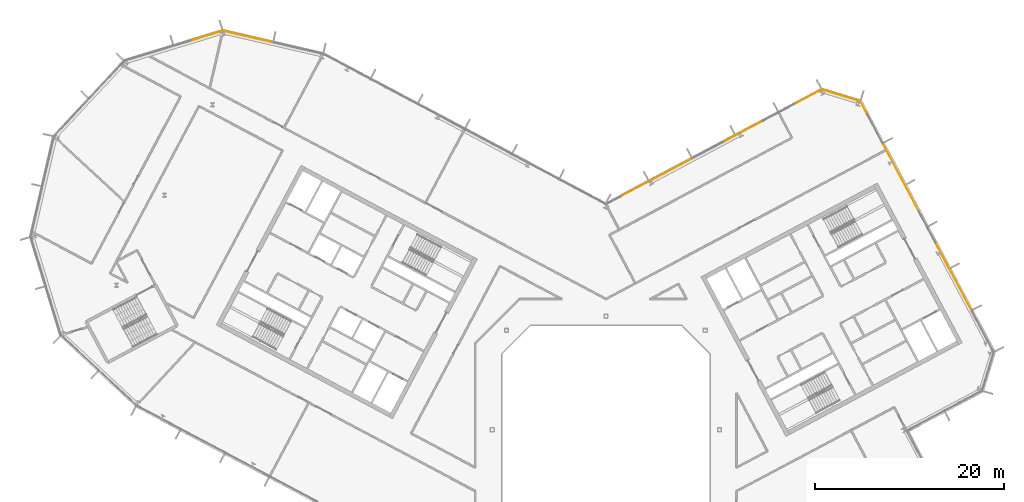
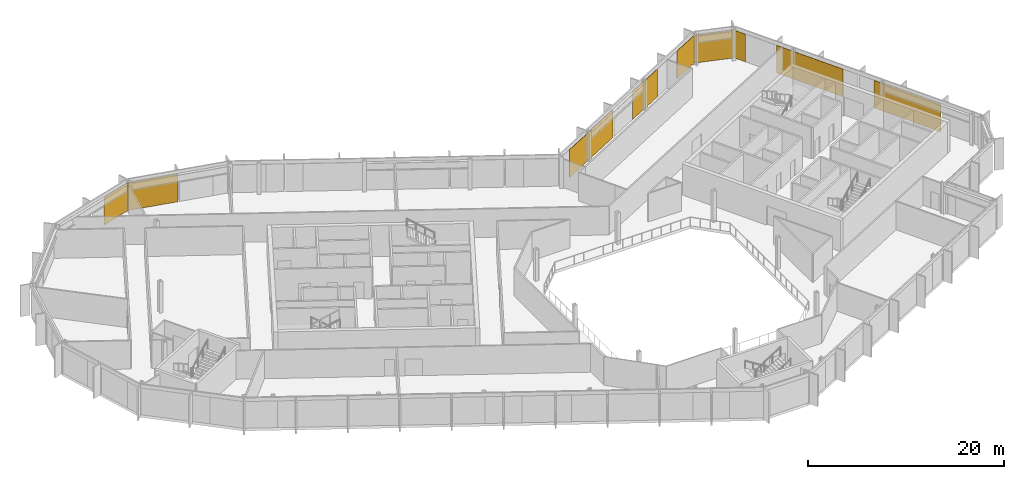
# One storey, part 25 of 25: 9 coverings, 5 elements without a shape of their own.
"""IFC4 building model written with IfcOpenShell, lengths in metres."""

import ifcopenshell
import ifcopenshell.guid

model = None  # the IFC model being written
_history = None  # IfcOwnerHistory: only IFC2X3 demands one
_inside = {}  # id of a spatial element -> (the spatial element, [elements in it])
_under = {}  # id of a project, library or spatial element -> (it, [spatial elements below it])
_declared = {}  # id of a project -> (the project, [libraries it declares])
_typed = {}  # id of a type object -> (the type object, [elements of that type])
_made_of = {}  # id of a material, layer set ... -> (it, [elements and type objects made of it])


def new_model(schema):
    """Start an empty IFC model of exactly this schema.

    Asked for "IFC4X3", IfcOpenShell would pick the latest addendum, in which some entities
    have other attributes; the version numbers below select the first issue.
    IFC2X3 requires an IfcOwnerHistory on every rooted entity: one is made here for all.
    """
    global model, _history
    if schema == "IFC4X3":
        model = ifcopenshell.file(schema_version=(4, 3, 0, 0))
    else:
        model = ifcopenshell.file(schema=schema)
    _inside.clear()
    _under.clear()
    _declared.clear()
    _typed.clear()
    _made_of.clear()
    _history = None
    if model.schema == "IFC2X3":
        org = make("IfcOrganization", Name="unknown")
        user = make(
            "IfcPersonAndOrganization",
            ThePerson=make("IfcPerson", FamilyName="unknown"),
            TheOrganization=org,
        )
        app = make(
            "IfcApplication",
            ApplicationDeveloper=org,
            Version="unknown",
            ApplicationFullName="unknown",
            ApplicationIdentifier="unknown",
        )
        _history = make(
            "IfcOwnerHistory",
            OwningUser=user,
            OwningApplication=app,
            ChangeAction="ADDED",
            CreationDate=0,
        )
    return model


def make(cls, **values):
    """One entity of the class cls with the attributes given. An attribute that is None is left unset."""
    return model.create_entity(
        cls, **{name: value for name, value in values.items() if value is not None}
    )


def rooted(cls, **values):
    """An entity with a GlobalId (a new one), such as an element, a storey or a relation."""
    return make(cls, GlobalId=ifcopenshell.guid.new(), OwnerHistory=_history, **values)


def si_unit(unit_type, name, prefix=None):
    """IfcSIUnit, for example si_unit("LENGTHUNIT", "METRE", prefix="MILLI")."""
    return make("IfcSIUnit", UnitType=unit_type, Prefix=prefix, Name=name)


def assignment(units):
    """IfcUnitAssignment: the units of a project."""
    return None if units is None else make("IfcUnitAssignment", Units=units)


def point(xyz):
    """IfcCartesianPoint."""
    return None if xyz is None else make("IfcCartesianPoint", Coordinates=xyz)


def direction(xyz):
    """IfcDirection."""
    return None if xyz is None else make("IfcDirection", DirectionRatios=xyz)


def frame(location, z_axis=None, x_axis=None):
    """IfcAxis2Placement3D, a coordinate frame: its origin and axes. An axis left out is left unset."""
    return make(
        "IfcAxis2Placement3D",
        Location=point(location),
        Axis=direction(z_axis),
        RefDirection=direction(x_axis),
    )


def frame_2d(location, x_axis=None):
    """IfcAxis2Placement2D, a coordinate frame in the plane: its origin and x axis."""
    return make(
        "IfcAxis2Placement2D", Location=point(location), RefDirection=direction(x_axis)
    )


def origin():
    """The frame at (0, 0, 0) with its axes left unset."""
    return frame((0.0, 0.0, 0.0))


def origin_2d():
    """The frame at (0, 0) in the plane with its x axis left unset."""
    return frame_2d((0.0, 0.0))


def place(relative_to, where):
    """IfcLocalPlacement: puts the frame where relative to a parent placement (None: the world)."""
    return make(
        "IfcLocalPlacement", PlacementRelTo=relative_to, RelativePlacement=where
    )


def context(
    kind, dimensions, precision=None, world=None, true_north=None, identifier=None
):
    """IfcGeometricRepresentationContext, for example the 3D "Model" context."""
    return make(
        "IfcGeometricRepresentationContext",
        ContextIdentifier=identifier,
        ContextType=kind,
        CoordinateSpaceDimension=dimensions,
        Precision=precision,
        WorldCoordinateSystem=world,
        TrueNorth=true_north,
    )


def subcontext(parent, identifier, kind, view, scale=None):
    """IfcGeometricRepresentationSubContext, for example "Body" below "Model"."""
    return make(
        "IfcGeometricRepresentationSubContext",
        ContextIdentifier=identifier,
        ContextType=kind,
        ParentContext=parent,
        TargetScale=scale,
        TargetView=view,
    )


def project(units=None, contexts=None):
    """IfcProject with its units and contexts."""
    return rooted(
        "IfcProject",
        Name="project",
        RepresentationContexts=contexts,
        UnitsInContext=assignment(units),
    )


def spatial(cls, under=None, at=None, **own):
    """A site, building, storey or space (cls), placed at a placement, below another one or the project."""
    s = rooted(cls, ObjectPlacement=at, **own)
    if under is not None:
        _under.setdefault(under.id(), (under, []))[1].append(s)
    return s


def profile(cls, at=None, kind="AREA", **sizes):
    """A parametric profile (cls). Its sizes go by their IFC names, for example OverallWidth=200.0."""
    return make(cls, ProfileType=kind, Position=at, **sizes)


def rectangle(**sizes):
    """IfcRectangleProfileDef."""
    return profile("IfcRectangleProfileDef", **sizes)


def extrude(swept, where, along, depth):
    """IfcExtrudedAreaSolid: the profile swept, set in the frame where, extruded along a direction by depth."""
    return make(
        "IfcExtrudedAreaSolid",
        SweptArea=swept,
        Position=where,
        ExtrudedDirection=direction(along),
        Depth=depth,
    )


def shape(context_of_items, identifier, shape_type, items):
    """IfcShapeRepresentation: the items that make up one representation, for example the "Body"."""
    return make(
        "IfcShapeRepresentation",
        ContextOfItems=context_of_items,
        RepresentationIdentifier=identifier,
        RepresentationType=shape_type,
        Items=items,
    )


def material(Name=None, Category=None):
    """IfcMaterial."""
    return make("IfcMaterial", Name=Name, Category=Category)


def layer(
    of_material, thickness, ventilated=None, Name=None, Category=None, Priority=None
):
    """IfcMaterialLayer: one layer of a wall or slab, of a material (None: an air gap)."""
    return make(
        "IfcMaterialLayer",
        Material=of_material,
        LayerThickness=thickness,
        IsVentilated=ventilated,
        Name=Name,
        Category=Category,
        Priority=Priority,
    )


def layer_set(layers, Name=None):
    """IfcMaterialLayerSet."""
    return make("IfcMaterialLayerSet", MaterialLayers=layers, LayerSetName=Name)


def made_of(thing, what):
    """Note that an element or type object is made of a material, layer set ...; save() writes the relation."""
    if what is not None:
        _made_of.setdefault(what.id(), (what, []))[1].append(thing)
    return thing


def type_object(cls, material=None, **own):
    """A type object (cls), such as IfcWallType, which elements share."""
    return made_of(rooted(cls, **own), material)


def element(
    cls,
    number,
    at=None,
    inside=None,
    cuts=None,
    type_object=None,
    material=None,
    context=None,
    identifier="Body",
    shape_type=None,
    held_by="IfcProductDefinitionShape",
    body=None,
    shapes=None,
    **own,
):
    """One element of the class cls, such as IfcWall. Its Tag is "e" and its number.

    at: its placement. inside: the storey or other place that contains it. cuts: it is an
    opening in that element (IfcRelVoidsElement). A single representation is given by context,
    identifier, shape_type and body (its items); several are given by shapes. held_by: the class
    of the entity that holds the representations. save() writes the other relations.
    """
    e = rooted(cls, Tag="e%d" % number, ObjectPlacement=at, **own)
    if body is not None:
        shapes = [shape(context, identifier, shape_type, body)]
    if shapes is not None:
        e.Representation = make(held_by, Representations=shapes)
    if inside is not None:
        _inside.setdefault(inside.id(), (inside, []))[1].append(e)
    if cuts is not None:
        rooted(
            "IfcRelVoidsElement", RelatingBuildingElement=cuts, RelatedOpeningElement=e
        )
    if type_object is not None:
        _typed.setdefault(type_object.id(), (type_object, []))[1].append(e)
    return made_of(e, material)


def aggregate(whole, parts):
    """IfcRelAggregates: a whole, such as a stair, and the parts it consists of."""
    return rooted("IfcRelAggregates", RelatingObject=whole, RelatedObjects=parts)


def save(model, path):
    """Write the relations noted so far, then the file.

    IfcRelAggregates (storeys below a building ...), IfcRelContainedInSpatialStructure (elements
    in a storey), IfcRelDefinesByType, IfcRelAssociatesMaterial and IfcRelDeclares: one each for
    every whole, place, type object, material and project.
    """
    for whole, parts in _under.values():
        aggregate(whole, parts)
    for where, things in _inside.values():
        rooted(
            "IfcRelContainedInSpatialStructure",
            RelatedElements=things,
            RelatingStructure=where,
        )
    for kind, things in _typed.values():
        rooted("IfcRelDefinesByType", RelatedObjects=things, RelatingType=kind)
    for what, things in _made_of.values():
        rooted("IfcRelAssociatesMaterial", RelatedObjects=things, RelatingMaterial=what)
    for by, libraries in _declared.values():
        rooted("IfcRelDeclares", RelatingContext=by, RelatedDefinitions=libraries)
    model.write(path)


model = new_model("IFC4")

# Units and contexts
model_context = context("Model", 3, precision=1e-05, world=origin(), true_north=direction((0.0, 1.0)))
body_context = subcontext(model_context, "Body", "Model", "MODEL_VIEW")
ifc_project = project(units=[si_unit("LENGTHUNIT", "METRE"), si_unit("AREAUNIT", "SQUARE_METRE"), si_unit("VOLUMEUNIT", "CUBIC_METRE"), si_unit("PLANEANGLEUNIT", "RADIAN"), si_unit("MASSUNIT", "GRAM", prefix="KILO")], contexts=[model_context])

# Site, building, storey
site_placement = place(None, origin())
site = spatial("IfcSite", under=ifc_project, at=site_placement, CompositionType="ELEMENT")
building_placement = place(site_placement, origin())
building = spatial("IfcBuilding", under=site, at=building_placement, Name="Cormorant Relay Tower", CompositionType="ELEMENT")
storey_placement = place(building_placement, frame((0.0, 0.0, 273.60009765625)))
storey = spatial("IfcBuildingStorey", under=building, at=storey_placement, Name="L61", CompositionType="ELEMENT", Elevation=273.60009765625)

# Curtain wall, coverings
ifc_material_1 = material(Name="Aluminium 6063-T6 anodised bronze", Category="aluminium")
ifc_layer_1 = layer(ifc_material_1, 0.199951171875)
ifc_layer_set_1 = layer_set([ifc_layer_1], Name="CW1 unitised bronze curtain wall with vertical fins")
curtain_wall_type = type_object("IfcCurtainWallType", Name="CW1 unitised bronze curtain wall with vertical fins", PredefinedType="NOTDEFINED", material=ifc_layer_set_1)
curtain_wall_1_placement = place(storey_placement, origin())
curtain_wall_1 = element("IfcCurtainWall", 1, at=curtain_wall_1_placement, inside=storey, type_object=curtain_wall_type, Name="CW1 curtain wall 6", PredefinedType="NOTDEFINED")
ifc_material_2 = material(Name="Pale bronze anodised aluminium insulated panel", Category="aluminium")
ifc_layer_2 = layer(ifc_material_2, 0.0400390625)
ifc_layer_set_2 = layer_set([ifc_layer_2], Name="CW1 pale bronze insulated panel 40")
covering_type = type_object("IfcCoveringType", Name="CW1 pale bronze insulated panel 40", PredefinedType="CLADDING", material=ifc_layer_set_2)
covering_1_placement = place(storey_placement, frame((36.697021484375, 16.227783203125, 0.0), z_axis=(0.0, 0.0, 1.0), x_axis=(-0.469471562786, 0.882947592859, 0.0)))
covering_1 = element("IfcCovering", 2, at=covering_1_placement, type_object=covering_type, Name="CW1 panel S02", PredefinedType="CLADDING", context=body_context, shape_type="SweptSolid", body=[
    extrude(rectangle(XDim=8.050048828125, YDim=0.0400390625, at=origin_2d()), origin(), (0.0, 0.0, 1.0), 3.449951171875),
])
covering_2_placement = place(storey_placement, frame((31.1572265625, 26.646484375, 0.0), z_axis=(0.0, 0.0, 1.0), x_axis=(-0.469471562786, 0.882947592859, 0.0)))
covering_2 = element("IfcCovering", 3, at=covering_2_placement, type_object=covering_type, Name="CW1 panel S05", PredefinedType="CLADDING", context=body_context, shape_type="SweptSolid", body=[
    extrude(rectangle(XDim=8.050048828125, YDim=0.0400390625, at=origin_2d()), origin(), (0.0, 0.0, 1.0), 3.449951171875),
])
covering_3_placement = place(storey_placement, frame((27.196044921875, 34.096435546875, 0.0), z_axis=(0.0, 0.0, 1.0), x_axis=(-0.469471562786, 0.882947592859, 0.0)))
covering_3 = element("IfcCovering", 4, at=covering_3_placement, type_object=covering_type, Name="CW1 panel S07", PredefinedType="CLADDING", context=body_context, shape_type="SweptSolid", body=[
    extrude(rectangle(XDim=1.324951171875, YDim=0.0400390625, at=origin_2d()), origin(), (0.0, 0.0, 1.0), 3.449951171875),
])
aggregate(curtain_wall_1, [covering_1, covering_2, covering_3])

# Curtain wall, covering
curtain_wall_2_placement = place(storey_placement, origin())
curtain_wall_2 = element("IfcCurtainWall", 5, at=curtain_wall_2_placement, inside=storey, type_object=curtain_wall_type, Name="CW1 curtain wall 7", PredefinedType="NOTDEFINED")
covering_4_placement = place(storey_placement, frame((24.808837890625, 35.322265625, 0.0), z_axis=(0.0, 0.0, 1.0), x_axis=(-0.956304755963, 0.292371704723, 0.0)))
covering_4 = element("IfcCovering", 6, at=covering_4_placement, type_object=covering_type, Name="CW1 panel S00", PredefinedType="CLADDING", context=body_context, shape_type="SweptSolid", body=[
    extrude(rectangle(XDim=4.16748046875, YDim=0.0400390625, at=origin_2d()), origin(), (0.0, 0.0, 1.0), 3.449951171875),
])
aggregate(curtain_wall_2, [covering_4])

# Curtain wall, coverings
curtain_wall_3_placement = place(storey_placement, origin())
curtain_wall_3 = element("IfcCurtainWall", 7, at=curtain_wall_3_placement, inside=storey, type_object=curtain_wall_type, Name="CW1 curtain wall 8", PredefinedType="NOTDEFINED")
covering_5_placement = place(storey_placement, frame((21.314453125, 35.1396484375, 0.0), z_axis=(0.0, 0.0, 1.0), x_axis=(-0.882947592859, -0.469471562786, 0.0)))
covering_5 = element("IfcCovering", 8, at=covering_5_placement, type_object=covering_type, Name="CW1 panel S00", PredefinedType="CLADDING", context=body_context, shape_type="SweptSolid", body=[
    extrude(rectangle(XDim=3.216796875, YDim=0.0400390625, at=origin_2d()), origin(), (0.0, 0.0, 1.0), 3.449951171875),
])
covering_6_placement = place(storey_placement, frame((14.471435546875, 31.501220703125, 0.0), z_axis=(0.0, 0.0, 1.0), x_axis=(-0.882947592859, -0.469471562786, 0.0)))
covering_6 = element("IfcCovering", 9, at=covering_6_placement, type_object=covering_type, Name="CW1 panel S03", PredefinedType="CLADDING", context=body_context, shape_type="SweptSolid", body=[
    extrude(rectangle(XDim=4.78369140625, YDim=0.0400390625, at=origin_2d()), origin(), (0.0, 0.0, 1.0), 3.449951171875),
])
covering_7_placement = place(storey_placement, frame((5.314208984375, 26.632080078125, 0.0), z_axis=(0.0, 0.0, 1.0), x_axis=(-0.882947592859, -0.469471562786, 0.0)))
covering_7 = element("IfcCovering", 10, at=covering_7_placement, type_object=covering_type, Name="CW1 panel S05", PredefinedType="CLADDING", context=body_context, shape_type="SweptSolid", body=[
    extrude(rectangle(XDim=8.45849609375, YDim=0.0400390625, at=origin_2d()), origin(), (0.0, 0.0, 1.0), 3.449951171875),
])
aggregate(curtain_wall_3, [covering_5, covering_6, covering_7])

# Curtain wall, covering
curtain_wall_4_placement = place(storey_placement, origin())
curtain_wall_4 = element("IfcCurtainWall", 11, at=curtain_wall_4_placement, inside=storey, type_object=curtain_wall_type, Name="CW1 curtain wall 10", PredefinedType="NOTDEFINED")
covering_8_placement = place(storey_placement, frame((-37.849609375, 41.530029296875, 0.0), z_axis=(0.0, 0.0, 1.0), x_axis=(-0.974370064785, 0.224951054344, 0.0)))
covering_8 = element("IfcCovering", 12, at=covering_8_placement, type_object=covering_type, Name="CW1 panel S02", PredefinedType="CLADDING", context=body_context, shape_type="SweptSolid", body=[
    extrude(rectangle(XDim=5.360107421875, YDim=0.0400390625, at=origin_2d()), origin(), (0.0, 0.0, 1.0), 3.449951171875),
])
aggregate(curtain_wall_4, [covering_8])

curtain_wall_5_placement = place(storey_placement, origin())
curtain_wall_5 = element("IfcCurtainWall", 13, at=curtain_wall_5_placement, inside=storey, type_object=curtain_wall_type, Name="CW1 curtain wall 11", PredefinedType="NOTDEFINED")
covering_9_placement = place(storey_placement, frame((-42.209716796875, 41.60107421875, 0.0), z_axis=(0.0, 0.0, 1.0), x_axis=(-0.956304755963, -0.292371704723, 0.0)))
covering_9 = element("IfcCovering", 14, at=covering_9_placement, type_object=covering_type, Name="CW1 panel S00", PredefinedType="CLADDING", context=body_context, shape_type="SweptSolid", body=[
    extrude(rectangle(XDim=3.485107421875, YDim=0.0400390625, at=origin_2d()), origin(), (0.0, 0.0, 1.0), 3.449951171875),
])
aggregate(curtain_wall_5, [covering_9])

save(model, "model.ifc")
